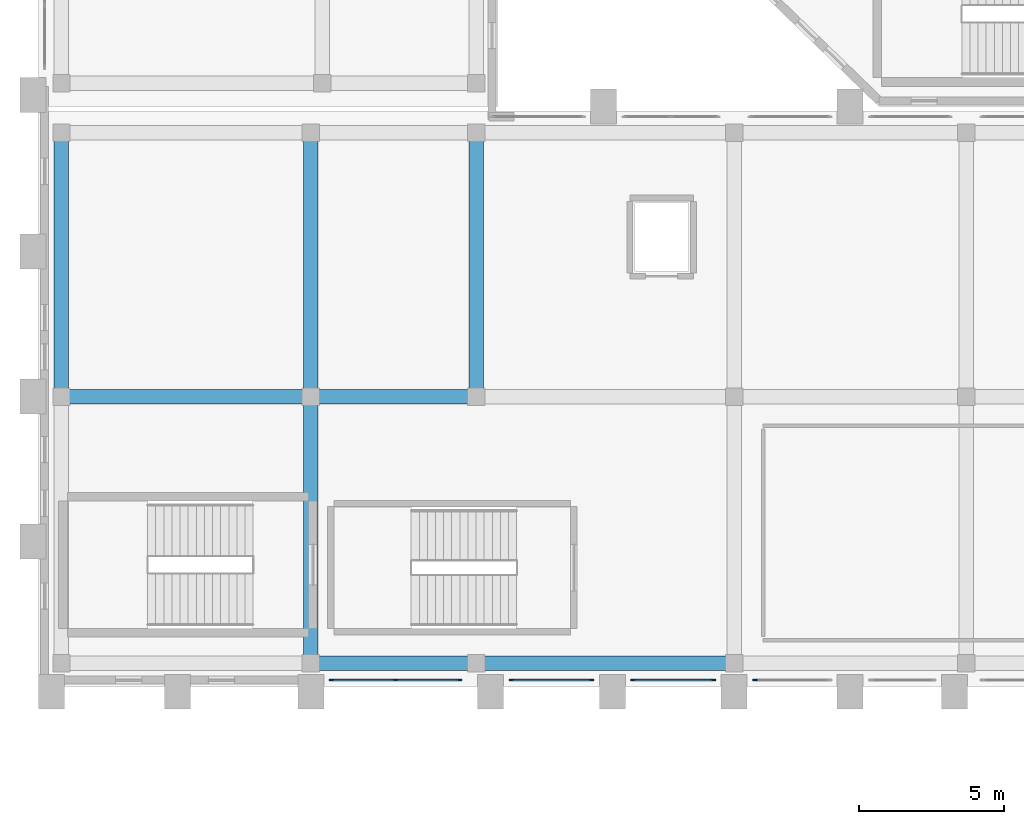
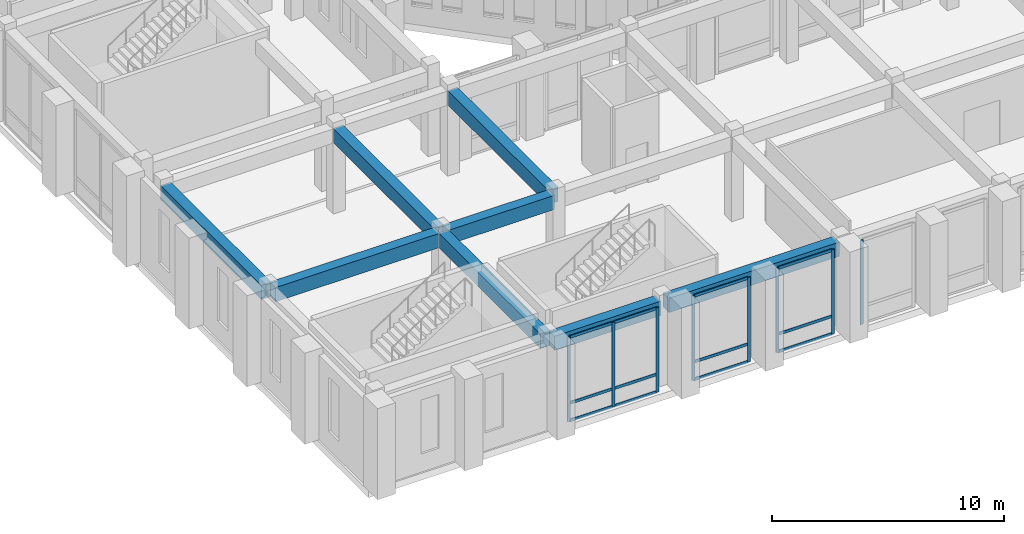
# One storey, part 14 of 126: 20 members, 8 beams, 4 elements without a shape of their own.
"""IFC4 building model written with IfcOpenShell, lengths in metres."""

from ifc_helpers import new_model, si_unit, derived_unit, direction, frame, origin, origin_2d, place, context, subcontext, project, spatial, rectangle, extrude, material, layer, layer_set, material_profile, profile_set, type_object, element, aggregate, save


model = new_model("IFC4")

# Units and contexts
model_context = context("Model", 3, precision=1e-05, world=origin(), true_north=direction((0.0, 1.0)))
body_context = subcontext(model_context, "Body", "Model", "MODEL_VIEW")
ifc_project = project(units=[si_unit("LENGTHUNIT", "METRE"), si_unit("AREAUNIT", "SQUARE_METRE"), si_unit("VOLUMEUNIT", "CUBIC_METRE"), si_unit("PLANEANGLEUNIT", "RADIAN"), si_unit("MASSUNIT", "GRAM", prefix="KILO"), derived_unit("THERMALTRANSMITTANCEUNIT", [(si_unit("MASSUNIT", "GRAM", prefix="KILO"), 1), (si_unit("TIMEUNIT", "SECOND"), -3), (si_unit("THERMODYNAMICTEMPERATUREUNIT", "KELVIN"), -1)])], contexts=[model_context])

# Site, building, storey
site_placement = place(None, origin())
site = spatial("IfcSite", under=ifc_project, at=site_placement, CompositionType="ELEMENT")
building_placement = place(site_placement, origin())
building = spatial("IfcBuilding", under=site, at=building_placement, Name="Valcora Ridge Arena", CompositionType="ELEMENT")
storey_placement = place(building_placement, frame((0.0, 0.0, 11.39990234375)))
storey = spatial("IfcBuildingStorey", under=building, at=storey_placement, Name="L02", CompositionType="ELEMENT", Elevation=11.39990234375)

# Beams
ifc_material_1 = material(Name="Concrete C40/50", Category="concrete")
ifc_material_profile_1 = material_profile(ifc_material_1, rectangle(XDim=0.5, YDim=0.75, at=origin_2d()), Name="RC 500x750")
ifc_profile_set_1 = profile_set([ifc_material_profile_1], Name="Concrete C40/50")
beam_type_1 = type_object("IfcBeamType", Name="TY-BEAM-B-RC500-X", PredefinedType="BEAM", material=ifc_profile_set_1)
beam_1_placement = place(storey_placement, frame((1.0, 10.0, 4.0751953125), z_axis=(1.0, 0.0, 0.0), x_axis=(0.0, 1.0, 0.0)))
element("IfcBeam", 1, at=beam_1_placement, inside=storey, type_object=beam_type_1, Name="B-RC500-X BEM-B-RC500-X-0053", PredefinedType="BEAM", context=body_context, shape_type="SweptSolid", body=[
    extrude(rectangle(XDim=0.5, YDim=0.75, at=origin_2d()), origin(), (0.0, 0.0, 1.0), 8.199951171875),
])
beam_2_placement = place(storey_placement, frame((9.60009765625, 10.0, 4.0751953125), z_axis=(1.0, 0.0, 0.0), x_axis=(0.0, 1.0, 0.0)))
element("IfcBeam", 2, at=beam_2_placement, inside=storey, type_object=beam_type_1, Name="B-RC500-X BEM-B-RC500-X-0054", PredefinedType="BEAM", context=body_context, shape_type="SweptSolid", body=[
    extrude(rectangle(XDim=0.5, YDim=0.75, at=origin_2d()), origin(), (0.0, 0.0, 1.0), 5.2998046875),
])
ifc_material_profile_2 = material_profile(ifc_material_1, rectangle(XDim=0.5, YDim=0.75, at=origin_2d()), Name="RC 500x750")
ifc_profile_set_2 = profile_set([ifc_material_profile_2], Name="Concrete C40/50")
beam_type_2 = type_object("IfcBeamType", Name="TY-BEAM-B-RC500-Y", PredefinedType="BEAM", material=ifc_profile_set_2)
beam_3_placement = place(storey_placement, frame((0.800048828125, 10.199951171875, 4.0751953125), z_axis=(0.0, 1.0, 0.0), x_axis=(-1.0, 0.0, 0.0)))
element("IfcBeam", 3, at=beam_3_placement, inside=storey, type_object=beam_type_2, Name="B-RC500-Y BEM-B-RC500-Y-0068", PredefinedType="BEAM", context=body_context, shape_type="SweptSolid", body=[
    extrude(rectangle(XDim=0.5, YDim=0.75, at=origin_2d()), origin(), (0.0, 0.0, 1.0), 8.699951171875),
])
beam_4_placement = place(storey_placement, frame((9.39990234375, 1.0, 4.0751953125), z_axis=(0.0, 1.0, 0.0), x_axis=(-1.0, 0.0, 0.0)))
element("IfcBeam", 4, at=beam_4_placement, inside=storey, type_object=beam_type_2, Name="B-RC500-Y BEM-B-RC500-Y-0073", PredefinedType="BEAM", context=body_context, shape_type="SweptSolid", body=[
    extrude(rectangle(XDim=0.5, YDim=0.75, at=origin_2d()), origin(), (0.0, 0.0, 1.0), 8.800048828125),
])
for number, where, z_axis, x_axis, name in (
    (5, (9.39990234375, 10.199951171875, 4.0751953125), (0.0, 1.0, 0.0), (-1.0, 0.0, 0.0), "B-RC500-Y BEM-B-RC500-Y-0074"),
    (6, (15.10009765625, 10.199951171875, 4.0751953125), (0.0, 1.0, 0.0), (-1.0, 0.0, 0.0), "B-RC500-Y BEM-B-RC500-Y-0079"),
):
    element("IfcBeam", number, at=place(storey_placement, frame(where, z_axis=z_axis, x_axis=x_axis)), inside=storey, type_object=beam_type_2, Name=name, PredefinedType="BEAM", context=body_context, shape_type="SweptSolid", body=[
        extrude(rectangle(XDim=0.5, YDim=0.75, at=origin_2d()), origin(), (0.0, 0.0, 1.0), 8.699951171875),
    ])
ifc_material_profile_3 = material_profile(ifc_material_1, rectangle(XDim=0.5, YDim=0.75, at=origin_2d()), Name="RC 500x750")
ifc_profile_set_3 = profile_set([ifc_material_profile_3], Name="Concrete C40/50")
beam_type_3 = type_object("IfcBeamType", Name="TY-BEAM-EB-RC500", PredefinedType="BEAM", material=ifc_profile_set_3)
beam_5_placement = place(storey_placement, frame((9.60009765625, 0.800048828125, 4.0751953125), z_axis=(1.0, 0.0, 0.0), x_axis=(0.0, 1.0, 0.0)))
element("IfcBeam", 7, at=beam_5_placement, inside=storey, type_object=beam_type_3, Name="EB-RC500 BEM-EB-RC500-0020", PredefinedType="BEAM", context=body_context, shape_type="SweptSolid", body=[
    extrude(rectangle(XDim=0.5, YDim=0.75, at=origin_2d()), origin(), (0.0, 0.0, 1.0), 5.2998046875),
])
beam_6_placement = place(storey_placement, frame((15.300048828125, 0.800048828125, 4.0751953125), z_axis=(1.0, 0.0, 0.0), x_axis=(0.0, 1.0, 0.0)))
element("IfcBeam", 8, at=beam_6_placement, inside=storey, type_object=beam_type_3, Name="EB-RC500 BEM-EB-RC500-0021", PredefinedType="BEAM", context=body_context, shape_type="SweptSolid", body=[
    extrude(rectangle(XDim=0.5, YDim=0.75, at=origin_2d()), origin(), (0.0, 0.0, 1.0), 8.5),
])

# Curtain wall, members
ifc_material_2 = material(Name="Anodised dark bronze architectural aluminium 6063-T6", Category="aluminium")
ifc_layer_1 = layer(ifc_material_2, 0.14990234375, Name="Anodised dark bronze architectural aluminium 6063-T6")
ifc_layer_set_1 = layer_set([ifc_layer_1], Name="Anodised dark bronze architectural aluminium 6063-T6")
curtain_wall_type_1 = type_object("IfcCurtainWallType", Name="TY-CURTAINWALL-CW-V4-CLUB-045X44", PredefinedType="NOTDEFINED", material=ifc_layer_set_1)
curtain_wall_1_placement = place(storey_placement, origin())
curtain_wall_1 = element("IfcCurtainWall", 9, at=curtain_wall_1_placement, inside=storey, type_object=curtain_wall_type_1, Name="CW-V4-CLUB-045X44 CW-0237", PredefinedType="NOTDEFINED")
ifc_material_profile_4 = material_profile(ifc_material_2, rectangle(XDim=0.050048828125, YDim=0.14990234375, at=origin_2d()), Name="ALU MULLION 50x150")
ifc_profile_set_4 = profile_set([ifc_material_profile_4], Name="Anodised dark bronze architectural aluminium 6063-T6")
member_type_1 = type_object("IfcMemberType", Name="TY-MEM-CWM-50x150", PredefinedType="MULLION", material=ifc_profile_set_4)
member_1_placement = place(storey_placement, frame((10.114990234375, 0.219970703125, 0.0), z_axis=(0.0, 0.0, 1.0), x_axis=(0.0, 1.0, 0.0)))
member_1 = element("IfcMember", 10, at=member_1_placement, type_object=member_type_1, Name="CW-0237/CWM-50x150/M00", PredefinedType="MULLION", context=body_context, shape_type="SweptSolid", body=[
    extrude(rectangle(XDim=0.050048828125, YDim=0.14990234375, at=origin_2d()), origin(), (0.0, 0.0, 1.0), 4.4501953125),
])
member_2_placement = place(storey_placement, frame((12.324951171875, 0.219970703125, 0.0), z_axis=(0.0, 0.0, 1.0), x_axis=(0.0, 1.0, 0.0)))
member_2 = element("IfcMember", 11, at=member_2_placement, type_object=member_type_1, Name="CW-0237/CWM-50x150/M01", PredefinedType="MULLION", context=body_context, shape_type="SweptSolid", body=[
    extrude(rectangle(XDim=0.050048828125, YDim=0.14990234375, at=origin_2d()), origin(), (0.0, 0.0, 1.0), 4.4501953125),
])
member_3_placement = place(storey_placement, frame((14.534912109375, 0.219970703125, 0.0), z_axis=(0.0, 0.0, 1.0), x_axis=(0.0, 1.0, 0.0)))
member_3 = element("IfcMember", 12, at=member_3_placement, type_object=member_type_1, Name="CW-0237/CWM-50x150/M02", PredefinedType="MULLION", context=body_context, shape_type="SweptSolid", body=[
    extrude(rectangle(XDim=0.050048828125, YDim=0.14990234375, at=origin_2d()), origin(), (0.0, 0.0, 1.0), 4.4501953125),
])

ifc_layer_2 = layer(ifc_material_2, 0.14990234375, Name="Anodised dark bronze architectural aluminium 6063-T6")
ifc_layer_set_2 = layer_set([ifc_layer_2], Name="Anodised dark bronze architectural aluminium 6063-T6")
curtain_wall_type_2 = type_object("IfcCurtainWallType", Name="TY-CURTAINWALL-CW-V4-CLUB-028X44", PredefinedType="NOTDEFINED", material=ifc_layer_set_2)
curtain_wall_2_placement = place(storey_placement, origin())
curtain_wall_2 = element("IfcCurtainWall", 13, at=curtain_wall_2_placement, inside=storey, type_object=curtain_wall_type_2, Name="CW-V4-CLUB-028X44 CW-0238", PredefinedType="NOTDEFINED")
member_4_placement = place(storey_placement, frame((16.31494140625, 0.219970703125, 0.0), z_axis=(0.0, 0.0, 1.0), x_axis=(0.0, 1.0, 0.0)))
member_4 = element("IfcMember", 14, at=member_4_placement, type_object=member_type_1, Name="CW-0238/CWM-50x150/M00", PredefinedType="MULLION", context=body_context, shape_type="SweptSolid", body=[
    extrude(rectangle(XDim=0.050048828125, YDim=0.14990234375, at=origin_2d()), origin(), (0.0, 0.0, 1.0), 4.4501953125),
])
member_5_placement = place(storey_placement, frame((19.0849609375, 0.219970703125, 0.0), z_axis=(0.0, 0.0, 1.0), x_axis=(0.0, 1.0, 0.0)))
member_5 = element("IfcMember", 15, at=member_5_placement, type_object=member_type_1, Name="CW-0238/CWM-50x150/M01", PredefinedType="MULLION", context=body_context, shape_type="SweptSolid", body=[
    extrude(rectangle(XDim=0.050048828125, YDim=0.14990234375, at=origin_2d()), origin(), (0.0, 0.0, 1.0), 4.4501953125),
])

curtain_wall_3_placement = place(storey_placement, origin())
curtain_wall_3 = element("IfcCurtainWall", 16, at=curtain_wall_3_placement, inside=storey, type_object=curtain_wall_type_2, Name="CW-V4-CLUB-028X44 CW-0239", PredefinedType="NOTDEFINED")
member_6_placement = place(storey_placement, frame((20.514892578125, 0.219970703125, 0.0), z_axis=(0.0, 0.0, 1.0), x_axis=(0.0, 1.0, 0.0)))
member_6 = element("IfcMember", 17, at=member_6_placement, type_object=member_type_1, Name="CW-0239/CWM-50x150/M00", PredefinedType="MULLION", context=body_context, shape_type="SweptSolid", body=[
    extrude(rectangle(XDim=0.050048828125, YDim=0.14990234375, at=origin_2d()), origin(), (0.0, 0.0, 1.0), 4.4501953125),
])
member_7_placement = place(storey_placement, frame((23.284912109375, 0.219970703125, 0.0), z_axis=(0.0, 0.0, 1.0), x_axis=(0.0, 1.0, 0.0)))
member_7 = element("IfcMember", 18, at=member_7_placement, type_object=member_type_1, Name="CW-0239/CWM-50x150/M01", PredefinedType="MULLION", context=body_context, shape_type="SweptSolid", body=[
    extrude(rectangle(XDim=0.050048828125, YDim=0.14990234375, at=origin_2d()), origin(), (0.0, 0.0, 1.0), 4.4501953125),
])

# Curtain wall, member
ifc_layer_3 = layer(ifc_material_2, 0.14990234375, Name="Anodised dark bronze architectural aluminium 6063-T6")
ifc_layer_set_3 = layer_set([ifc_layer_3], Name="Anodised dark bronze architectural aluminium 6063-T6")
curtain_wall_type_3 = type_object("IfcCurtainWallType", Name="TY-CURTAINWALL-CW-V4-CLUB-026X44", PredefinedType="NOTDEFINED", material=ifc_layer_set_3)
curtain_wall_4_placement = place(storey_placement, origin())
curtain_wall_4 = element("IfcCurtainWall", 19, at=curtain_wall_4_placement, inside=storey, type_object=curtain_wall_type_3, Name="CW-V4-CLUB-026X44 CW-0240", PredefinedType="NOTDEFINED")
member_8_placement = place(storey_placement, frame((24.715087890625, 0.219970703125, 0.0), z_axis=(0.0, 0.0, 1.0), x_axis=(0.0, 1.0, 0.0)))
member_8 = element("IfcMember", 20, at=member_8_placement, type_object=member_type_1, Name="CW-0240/CWM-50x150/M00", PredefinedType="MULLION", context=body_context, shape_type="SweptSolid", body=[
    extrude(rectangle(XDim=0.050048828125, YDim=0.14990234375, at=origin_2d()), origin(), (0.0, 0.0, 1.0), 4.4501953125),
])
aggregate(curtain_wall_4, [member_8])

# Member
ifc_material_profile_5 = material_profile(ifc_material_2, rectangle(XDim=0.050048828125, YDim=0.14990234375, at=origin_2d()), Name="ALU TRANSOM 50x150")
ifc_profile_set_5 = profile_set([ifc_material_profile_5], Name="Anodised dark bronze architectural aluminium 6063-T6")
member_type_2 = type_object("IfcMemberType", Name="TY-MEM-CWT-50x150", PredefinedType="USERDEFINED", material=ifc_profile_set_5)
member_9_placement = place(storey_placement, frame((10.139892578125, 0.219970703125, 0.025146484375), z_axis=(1.0, 0.0, 0.0), x_axis=(0.0, 1.0, 0.0)))
member_9 = element("IfcMember", 21, at=member_9_placement, type_object=member_type_2, Name="CW-0237/CWT-50x150/T00-00", ObjectType="TRANSOM", PredefinedType="USERDEFINED", context=body_context, shape_type="SweptSolid", body=[
    extrude(rectangle(XDim=0.050048828125, YDim=0.14990234375, at=origin_2d()), origin(), (0.0, 0.0, 1.0), 2.16015625),
])

member_10_placement = place(storey_placement, frame((10.139892578125, 0.219970703125, 0.9501953125), z_axis=(1.0, 0.0, 0.0), x_axis=(0.0, 1.0, 0.0)))
member_10 = element("IfcMember", 22, at=member_10_placement, type_object=member_type_2, Name="CW-0237/CWT-50x150/T00-01", ObjectType="TRANSOM", PredefinedType="USERDEFINED", context=body_context, shape_type="SweptSolid", body=[
    extrude(rectangle(XDim=0.050048828125, YDim=0.14990234375, at=origin_2d()), origin(), (0.0, 0.0, 1.0), 2.16015625),
])

member_11_placement = place(storey_placement, frame((10.139892578125, 0.219970703125, 4.425048828125), z_axis=(1.0, 0.0, 0.0), x_axis=(0.0, 1.0, 0.0)))
member_11 = element("IfcMember", 23, at=member_11_placement, type_object=member_type_2, Name="CW-0237/CWT-50x150/T00-02", ObjectType="TRANSOM", PredefinedType="USERDEFINED", context=body_context, shape_type="SweptSolid", body=[
    extrude(rectangle(XDim=0.050048828125, YDim=0.14990234375, at=origin_2d()), origin(), (0.0, 0.0, 1.0), 2.16015625),
])

member_12_placement = place(storey_placement, frame((12.35009765625, 0.219970703125, 0.025146484375), z_axis=(1.0, 0.0, 0.0), x_axis=(0.0, 1.0, 0.0)))
member_12 = element("IfcMember", 24, at=member_12_placement, type_object=member_type_2, Name="CW-0237/CWT-50x150/T01-00", ObjectType="TRANSOM", PredefinedType="USERDEFINED", context=body_context, shape_type="SweptSolid", body=[
    extrude(rectangle(XDim=0.050048828125, YDim=0.14990234375, at=origin_2d()), origin(), (0.0, 0.0, 1.0), 2.159912109375),
])

member_13_placement = place(storey_placement, frame((12.35009765625, 0.219970703125, 0.9501953125), z_axis=(1.0, 0.0, 0.0), x_axis=(0.0, 1.0, 0.0)))
member_13 = element("IfcMember", 25, at=member_13_placement, type_object=member_type_2, Name="CW-0237/CWT-50x150/T01-01", ObjectType="TRANSOM", PredefinedType="USERDEFINED", context=body_context, shape_type="SweptSolid", body=[
    extrude(rectangle(XDim=0.050048828125, YDim=0.14990234375, at=origin_2d()), origin(), (0.0, 0.0, 1.0), 2.159912109375),
])

member_14_placement = place(storey_placement, frame((12.35009765625, 0.219970703125, 4.425048828125), z_axis=(1.0, 0.0, 0.0), x_axis=(0.0, 1.0, 0.0)))
member_14 = element("IfcMember", 26, at=member_14_placement, type_object=member_type_2, Name="CW-0237/CWT-50x150/T01-02", ObjectType="TRANSOM", PredefinedType="USERDEFINED", context=body_context, shape_type="SweptSolid", body=[
    extrude(rectangle(XDim=0.050048828125, YDim=0.14990234375, at=origin_2d()), origin(), (0.0, 0.0, 1.0), 2.159912109375),
])

aggregate(curtain_wall_1, [member_1, member_2, member_3, member_9, member_10, member_11, member_12, member_13, member_14])

member_15_placement = place(storey_placement, frame((16.340087890625, 0.219970703125, 0.025146484375), z_axis=(1.0, 0.0, 0.0), x_axis=(0.0, 1.0, 0.0)))
member_15 = element("IfcMember", 27, at=member_15_placement, type_object=member_type_2, Name="CW-0238/CWT-50x150/T00-00", ObjectType="TRANSOM", PredefinedType="USERDEFINED", context=body_context, shape_type="SweptSolid", body=[
    extrude(rectangle(XDim=0.050048828125, YDim=0.14990234375, at=origin_2d()), origin(), (0.0, 0.0, 1.0), 2.719970703125),
])

member_16_placement = place(storey_placement, frame((16.340087890625, 0.219970703125, 0.9501953125), z_axis=(1.0, 0.0, 0.0), x_axis=(0.0, 1.0, 0.0)))
member_16 = element("IfcMember", 28, at=member_16_placement, type_object=member_type_2, Name="CW-0238/CWT-50x150/T00-01", ObjectType="TRANSOM", PredefinedType="USERDEFINED", context=body_context, shape_type="SweptSolid", body=[
    extrude(rectangle(XDim=0.050048828125, YDim=0.14990234375, at=origin_2d()), origin(), (0.0, 0.0, 1.0), 2.719970703125),
])

member_17_placement = place(storey_placement, frame((16.340087890625, 0.219970703125, 4.425048828125), z_axis=(1.0, 0.0, 0.0), x_axis=(0.0, 1.0, 0.0)))
member_17 = element("IfcMember", 29, at=member_17_placement, type_object=member_type_2, Name="CW-0238/CWT-50x150/T00-02", ObjectType="TRANSOM", PredefinedType="USERDEFINED", context=body_context, shape_type="SweptSolid", body=[
    extrude(rectangle(XDim=0.050048828125, YDim=0.14990234375, at=origin_2d()), origin(), (0.0, 0.0, 1.0), 2.719970703125),
])

aggregate(curtain_wall_2, [member_4, member_5, member_15, member_16, member_17])

member_18_placement = place(storey_placement, frame((20.5400390625, 0.219970703125, 0.025146484375), z_axis=(1.0, 0.0, 0.0), x_axis=(0.0, 1.0, 0.0)))
member_18 = element("IfcMember", 30, at=member_18_placement, type_object=member_type_2, Name="CW-0239/CWT-50x150/T00-00", ObjectType="TRANSOM", PredefinedType="USERDEFINED", context=body_context, shape_type="SweptSolid", body=[
    extrude(rectangle(XDim=0.050048828125, YDim=0.14990234375, at=origin_2d()), origin(), (0.0, 0.0, 1.0), 2.719970703125),
])

member_19_placement = place(storey_placement, frame((20.5400390625, 0.219970703125, 0.9501953125), z_axis=(1.0, 0.0, 0.0), x_axis=(0.0, 1.0, 0.0)))
member_19 = element("IfcMember", 31, at=member_19_placement, type_object=member_type_2, Name="CW-0239/CWT-50x150/T00-01", ObjectType="TRANSOM", PredefinedType="USERDEFINED", context=body_context, shape_type="SweptSolid", body=[
    extrude(rectangle(XDim=0.050048828125, YDim=0.14990234375, at=origin_2d()), origin(), (0.0, 0.0, 1.0), 2.719970703125),
])

member_20_placement = place(storey_placement, frame((20.5400390625, 0.219970703125, 4.425048828125), z_axis=(1.0, 0.0, 0.0), x_axis=(0.0, 1.0, 0.0)))
member_20 = element("IfcMember", 32, at=member_20_placement, type_object=member_type_2, Name="CW-0239/CWT-50x150/T00-02", ObjectType="TRANSOM", PredefinedType="USERDEFINED", context=body_context, shape_type="SweptSolid", body=[
    extrude(rectangle(XDim=0.050048828125, YDim=0.14990234375, at=origin_2d()), origin(), (0.0, 0.0, 1.0), 2.719970703125),
])

aggregate(curtain_wall_3, [member_6, member_7, member_18, member_19, member_20])

save(model, "model.ifc")
